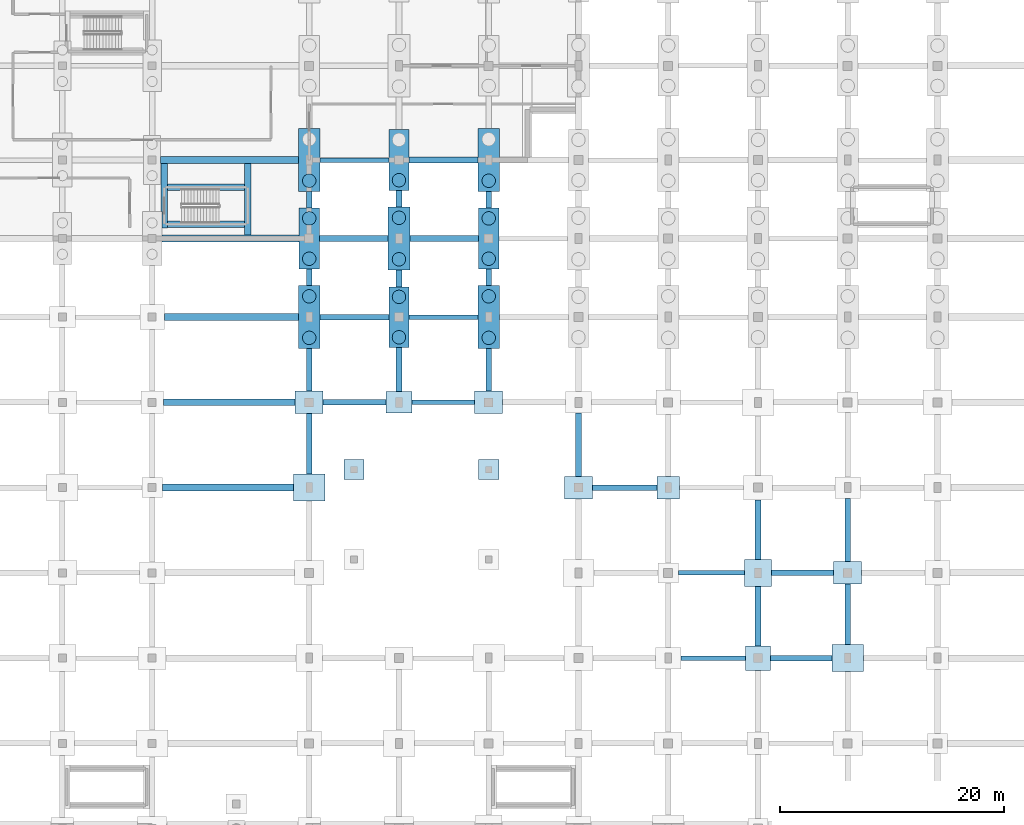
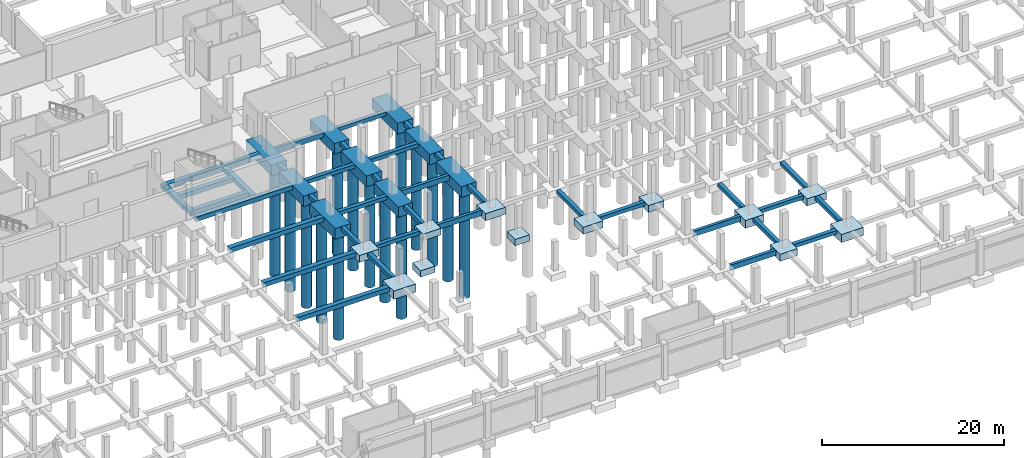
# One storey, part 7 of 50: 58 footings, 15 piles.
"""IFC4 building model written with IfcOpenShell, lengths in metres."""

from ifc_helpers import new_model, si_unit, direction, frame, origin, origin_2d, place, context, subcontext, project, spatial, polyline, rectangle, circle, outline, extrude, material, material_profile, profile_set, type_object, element, save


model = new_model("IFC4")

# Units and contexts
model_context = context("Model", 3, precision=1e-05, world=origin(), true_north=direction((0.0, 1.0)))
body_context = subcontext(model_context, "Body", "Model", "MODEL_VIEW")
ifc_project = project(units=[si_unit("LENGTHUNIT", "METRE"), si_unit("AREAUNIT", "SQUARE_METRE"), si_unit("VOLUMEUNIT", "CUBIC_METRE"), si_unit("PLANEANGLEUNIT", "RADIAN"), si_unit("MASSUNIT", "GRAM", prefix="KILO")], contexts=[model_context])

# Site, building, storey
site_placement = place(None, origin())
site = spatial("IfcSite", under=ifc_project, at=site_placement, CompositionType="ELEMENT")
building_placement = place(site_placement, origin())
building = spatial("IfcBuilding", under=site, at=building_placement, Name="Vekula Escarpment Museum", CompositionType="ELEMENT")
storey_placement = place(building_placement, frame((0.0, 0.0, -4.800048828125)))
storey = spatial("IfcBuildingStorey", under=building, at=storey_placement, Name="B1", CompositionType="ELEMENT", Elevation=-4.800048828125)

# Footings
ifc_material_1 = material(Name="Concrete C35/45", Category="concrete")
footing_type_1 = type_object("IfcFootingType", Name="FB-STRIP-600", PredefinedType="STRIP_FOOTING", material=ifc_material_1)
footing_1_placement = place(storey_placement, frame((0.0, 0.0, -0.599853515625)))
element("IfcFooting", 1, at=footing_1_placement, inside=storey, type_object=footing_type_1, Name="Stair Core Strip Footing ST-01 W", PredefinedType="STRIP_FOOTING", context=body_context, shape_type="SweptSolid", body=[
    extrude(outline(polyline([(57.375, 53.554931640625), (56.87890625, 53.554931640625), (56.87890625, 55.00390625), (56.77490234375, 55.00390625), (56.77490234375, 59.2958984375), (57.375, 59.2958984375), (57.375, 53.554931640625)])), origin(), (0.0, 0.0, 1.0), 0.599853515625),
])
footing_2_placement = place(storey_placement, frame((0.0, 0.0, -0.599853515625)))
element("IfcFooting", 2, at=footing_2_placement, inside=storey, type_object=footing_type_1, Name="Stair Core Strip Footing ST-01 E", PredefinedType="STRIP_FOOTING", context=body_context, shape_type="SweptSolid", body=[
    extrude(outline(polyline([(64.824951171875, 52.904052734375), (64.22509765625, 52.904052734375), (64.22509765625, 59.2958984375), (64.824951171875, 59.2958984375), (64.824951171875, 52.904052734375)])), origin(), (0.0, 0.0, 1.0), 0.599853515625),
])
footing_3_placement = place(storey_placement, frame((0.0, 0.0, -0.599853515625)))
element("IfcFooting", 3, at=footing_3_placement, inside=storey, type_object=footing_type_1, Name="Stair Core Strip Footing ST-01 S", PredefinedType="STRIP_FOOTING", context=body_context, shape_type="SweptSolid", body=[
    extrude(outline(polyline([(57.37890625, 53.574951171875), (57.37890625, 54.175048828125), (64.220947265625, 54.175048828125), (64.220947265625, 53.574951171875), (57.37890625, 53.574951171875)])), origin(), (0.0, 0.0, 1.0), 0.599853515625),
])
footing_4_placement = place(storey_placement, frame((0.0, 0.0, -0.599853515625)))
element("IfcFooting", 4, at=footing_4_placement, inside=storey, type_object=footing_type_1, Name="Stair Core Strip Footing ST-01 N", PredefinedType="STRIP_FOOTING", context=body_context, shape_type="SweptSolid", body=[
    extrude(outline(polyline([(57.37890625, 56.864990234375), (57.37890625, 57.465087890625), (64.220947265625, 57.465087890625), (64.220947265625, 56.864990234375), (57.37890625, 56.864990234375)])), origin(), (0.0, 0.0, 1.0), 0.599853515625),
])
ifc_material_2 = material(Name="Concrete C35/45", Category="concrete")
ifc_material_profile_1 = material_profile(ifc_material_2, rectangle(XDim=0.39990234375, YDim=0.699951171875, at=origin_2d()), Name="RC 400x700")
ifc_profile_set_1 = profile_set([ifc_material_profile_1], Name="Concrete C35/45")
footing_type_2 = type_object("IfcFootingType", Name="FB-TIE-400x700", PredefinedType="FOOTING_BEAM", material=ifc_profile_set_1)
footing_5_placement = place(storey_placement, frame((103.14990234375, 15.199951171875, -0.349853515625), z_axis=(1.0, 0.0, 0.0), x_axis=(0.0, 1.0, 0.0)))
element("IfcFooting", 5, at=footing_5_placement, inside=storey, type_object=footing_type_2, Name="Foundation Tie Beam 054", PredefinedType="FOOTING_BEAM", context=body_context, shape_type="SweptSolid", body=[
    extrude(rectangle(XDim=0.39990234375, YDim=0.699951171875, at=origin_2d()), origin(), (0.0, 0.0, 1.0), 5.75),
])
footing_6_placement = place(storey_placement, frame((102.89990234375, 22.800048828125, -0.349853515625), z_axis=(1.0, 0.0, 0.0), x_axis=(0.0, 1.0, 0.0)))
element("IfcFooting", 6, at=footing_6_placement, inside=storey, type_object=footing_type_2, Name="Foundation Tie Beam 072", PredefinedType="FOOTING_BEAM", context=body_context, shape_type="SweptSolid", body=[
    extrude(rectangle(XDim=0.39990234375, YDim=0.699951171875, at=origin_2d()), origin(), (0.0, 0.0, 1.0), 5.900146484375),
])
footing_7_placement = place(storey_placement, frame((79.14990234375, 38.0, -0.349853515625), z_axis=(1.0, 0.0, 0.0), x_axis=(0.0, 1.0, 0.0)))
element("IfcFooting", 7, at=footing_7_placement, inside=storey, type_object=footing_type_2, Name="Foundation Tie Beam 108", PredefinedType="FOOTING_BEAM", context=body_context, shape_type="SweptSolid", body=[
    extrude(rectangle(XDim=0.39990234375, YDim=0.699951171875, at=origin_2d()), origin(), (0.0, 0.0, 1.0), 5.60009765625),
])
for number, where, z_axis, x_axis, name in (
    (8, (78.89990234375, 45.60009765625, -0.349853515625), (1.0, 0.0, 0.0), (0.0, 1.0, 0.0), "Foundation Tie Beam 129"),
    (9, (70.97509765625, 59.60009765625, -0.349853515625), (1.0, 0.0, 0.0), (0.0, 1.0, 0.0), "Foundation Tie Beam 174"),
):
    element("IfcFooting", number, at=place(storey_placement, frame(where, z_axis=z_axis, x_axis=x_axis)), inside=storey, type_object=footing_type_2, Name=name, PredefinedType="FOOTING_BEAM", context=body_context, shape_type="SweptSolid", body=[
        extrude(rectangle(XDim=0.39990234375, YDim=0.699951171875, at=origin_2d()), origin(), (0.0, 0.0, 1.0), 6.125),
    ])
ifc_material_3 = material(Name="Concrete C35/45", Category="concrete")
ifc_material_profile_2 = material_profile(ifc_material_3, rectangle(XDim=0.5, YDim=0.5, at=origin_2d()), Name="RC 500x500")
ifc_profile_set_2 = profile_set([ifc_material_profile_2], Name="Concrete C35/45")
footing_type_3 = type_object("IfcFootingType", Name="FB-TIE-500x500", PredefinedType="FOOTING_BEAM", material=ifc_profile_set_2)
footing_8_placement = place(storey_placement, frame((111.10009765625, 15.199951171875, -0.25), z_axis=(1.0, 0.0, 0.0), x_axis=(0.0, 1.0, 0.0)))
element("IfcFooting", 10, at=footing_8_placement, inside=storey, type_object=footing_type_3, Name="Foundation Tie Beam 055", PredefinedType="FOOTING_BEAM", context=body_context, shape_type="SweptSolid", body=[
    extrude(rectangle(XDim=0.5, YDim=0.5, at=origin_2d()), origin(), (0.0, 0.0, 1.0), 5.5),
])
footing_9_placement = place(storey_placement, frame((111.199951171875, 22.800048828125, -0.25), z_axis=(1.0, 0.0, 0.0), x_axis=(0.0, 1.0, 0.0)))
element("IfcFooting", 11, at=footing_9_placement, inside=storey, type_object=footing_type_3, Name="Foundation Tie Beam 073", PredefinedType="FOOTING_BEAM", context=body_context, shape_type="SweptSolid", body=[
    extrude(rectangle(XDim=0.5, YDim=0.5, at=origin_2d()), origin(), (0.0, 0.0, 1.0), 5.550048828125),
])
footing_10_placement = place(storey_placement, frame((95.25, 30.39990234375, -0.25), z_axis=(1.0, 0.0, 0.0), x_axis=(0.0, 1.0, 0.0)))
element("IfcFooting", 12, at=footing_10_placement, inside=storey, type_object=footing_type_3, Name="Foundation Tie Beam 089", PredefinedType="FOOTING_BEAM", context=body_context, shape_type="SweptSolid", body=[
    extrude(rectangle(XDim=0.5, YDim=0.5, at=origin_2d()), origin(), (0.0, 0.0, 1.0), 5.75),
])
footing_11_placement = place(storey_placement, frame((71.25, 38.0, -0.25), z_axis=(1.0, 0.0, 0.0), x_axis=(0.0, 1.0, 0.0)))
element("IfcFooting", 13, at=footing_11_placement, inside=storey, type_object=footing_type_3, Name="Foundation Tie Beam 107", PredefinedType="FOOTING_BEAM", context=body_context, shape_type="SweptSolid", body=[
    extrude(rectangle(XDim=0.5, YDim=0.5, at=origin_2d()), origin(), (0.0, 0.0, 1.0), 5.60009765625),
])
for number, where, z_axis, x_axis, name in (
    (14, (70.97509765625, 45.60009765625, -0.25), (1.0, 0.0, 0.0), (0.0, 1.0, 0.0), "Foundation Tie Beam 128"),
    (15, (70.89990234375, 52.60009765625, -0.25), (1.0, 0.0, 0.0), (0.0, 1.0, 0.0), "Foundation Tie Beam 151"),
    (16, (78.97509765625, 52.60009765625, -0.25), (1.0, 0.0, 0.0), (0.0, 1.0, 0.0), "Foundation Tie Beam 152"),
    (17, (78.89990234375, 59.60009765625, -0.25), (1.0, 0.0, 0.0), (0.0, 1.0, 0.0), "Foundation Tie Beam 175"),
):
    element("IfcFooting", number, at=place(storey_placement, frame(where, z_axis=z_axis, x_axis=x_axis)), inside=storey, type_object=footing_type_3, Name=name, PredefinedType="FOOTING_BEAM", context=body_context, shape_type="SweptSolid", body=[
        extrude(rectangle(XDim=0.5, YDim=0.5, at=origin_2d()), origin(), (0.0, 0.0, 1.0), 6.125),
    ])
footing_12_placement = place(storey_placement, frame((70.0, 31.60009765625, -0.25), z_axis=(0.0, 1.0, 0.0), x_axis=(-1.0, 0.0, 0.0)))
element("IfcFooting", 18, at=footing_12_placement, inside=storey, type_object=footing_type_3, Name="Foundation Tie Beam 554", PredefinedType="FOOTING_BEAM", context=body_context, shape_type="SweptSolid", body=[
    extrude(rectangle(XDim=0.5, YDim=0.5, at=origin_2d()), origin(), (0.0, 0.0, 1.0), 5.39990234375),
])
footing_13_placement = place(storey_placement, frame((70.0, 39.0, -0.25), z_axis=(0.0, 1.0, 0.0), x_axis=(-1.0, 0.0, 0.0)))
element("IfcFooting", 19, at=footing_13_placement, inside=storey, type_object=footing_type_3, Name="Foundation Tie Beam 555", PredefinedType="FOOTING_BEAM", context=body_context, shape_type="SweptSolid", body=[
    extrude(rectangle(XDim=0.5, YDim=0.5, at=origin_2d()), origin(), (0.0, 0.0, 1.0), 3.800048828125),
])
for number, where, z_axis, x_axis, name in (
    (20, (70.0, 48.39990234375, -0.25), (0.0, 1.0, 0.0), (-1.0, 0.0, 0.0), "Foundation Tie Beam 556"),
    (21, (70.0, 55.300048828125, -0.25), (0.0, 1.0, 0.0), (-1.0, 0.0, 0.0), "Foundation Tie Beam 557"),
):
    element("IfcFooting", number, at=place(storey_placement, frame(where, z_axis=z_axis, x_axis=x_axis)), inside=storey, type_object=footing_type_3, Name=name, PredefinedType="FOOTING_BEAM", context=body_context, shape_type="SweptSolid", body=[
        extrude(rectangle(XDim=0.5, YDim=0.5, at=origin_2d()), origin(), (0.0, 0.0, 1.0), 1.5),
    ])
footing_14_placement = place(storey_placement, frame((78.0, 38.949951171875, -0.25), z_axis=(0.0, 1.0, 0.0), x_axis=(-1.0, 0.0, 0.0)))
element("IfcFooting", 22, at=footing_14_placement, inside=storey, type_object=footing_type_3, Name="Foundation Tie Beam 570", PredefinedType="FOOTING_BEAM", context=body_context, shape_type="SweptSolid", body=[
    extrude(rectangle(XDim=0.5, YDim=0.5, at=origin_2d()), origin(), (0.0, 0.0, 1.0), 3.949951171875),
])
for number, where, z_axis, x_axis, name in (
    (23, (78.0, 48.300048828125, -0.25), (0.0, 1.0, 0.0), (-1.0, 0.0, 0.0), "Foundation Tie Beam 571"),
    (24, (78.0, 55.39990234375, -0.25), (0.0, 1.0, 0.0), (-1.0, 0.0, 0.0), "Foundation Tie Beam 572"),
):
    element("IfcFooting", number, at=place(storey_placement, frame(where, z_axis=z_axis, x_axis=x_axis)), inside=storey, type_object=footing_type_3, Name=name, PredefinedType="FOOTING_BEAM", context=body_context, shape_type="SweptSolid", body=[
        extrude(rectangle(XDim=0.5, YDim=0.5, at=origin_2d()), origin(), (0.0, 0.0, 1.0), 1.5),
    ])
footing_15_placement = place(storey_placement, frame((86.0, 39.0, -0.25), z_axis=(0.0, 1.0, 0.0), x_axis=(-1.0, 0.0, 0.0)))
element("IfcFooting", 25, at=footing_15_placement, inside=storey, type_object=footing_type_3, Name="Foundation Tie Beam 582", PredefinedType="FOOTING_BEAM", context=body_context, shape_type="SweptSolid", body=[
    extrude(rectangle(XDim=0.5, YDim=0.5, at=origin_2d()), origin(), (0.0, 0.0, 1.0), 3.800048828125),
])
for number, where, z_axis, x_axis, name in (
    (26, (86.0, 48.39990234375, -0.25), (0.0, 1.0, 0.0), (-1.0, 0.0, 0.0), "Foundation Tie Beam 583"),
    (27, (86.0, 55.300048828125, -0.25), (0.0, 1.0, 0.0), (-1.0, 0.0, 0.0), "Foundation Tie Beam 584"),
):
    element("IfcFooting", number, at=place(storey_placement, frame(where, z_axis=z_axis, x_axis=x_axis)), inside=storey, type_object=footing_type_3, Name=name, PredefinedType="FOOTING_BEAM", context=body_context, shape_type="SweptSolid", body=[
        extrude(rectangle(XDim=0.5, YDim=0.5, at=origin_2d()), origin(), (0.0, 0.0, 1.0), 1.5),
    ])
footing_16_placement = place(storey_placement, frame((94.0, 31.39990234375, -0.25), z_axis=(0.0, 1.0, 0.0), x_axis=(-1.0, 0.0, 0.0)))
element("IfcFooting", 28, at=footing_16_placement, inside=storey, type_object=footing_type_3, Name="Foundation Tie Beam 596", PredefinedType="FOOTING_BEAM", context=body_context, shape_type="SweptSolid", body=[
    extrude(rectangle(XDim=0.5, YDim=0.5, at=origin_2d()), origin(), (0.0, 0.0, 1.0), 5.650146484375),
])
for number, where, z_axis, x_axis, name in (
    (29, (110.0, 16.300048828125, -0.25), (0.0, 1.0, 0.0), (-1.0, 0.0, 0.0), "Foundation Tie Beam 630"),
    (30, (110.0, 24.0, -0.25), (0.0, 1.0, 0.0), (-1.0, 0.0, 0.0), "Foundation Tie Beam 631"),
):
    element("IfcFooting", number, at=place(storey_placement, frame(where, z_axis=z_axis, x_axis=x_axis)), inside=storey, type_object=footing_type_3, Name=name, PredefinedType="FOOTING_BEAM", context=body_context, shape_type="SweptSolid", body=[
        extrude(rectangle(XDim=0.5, YDim=0.5, at=origin_2d()), origin(), (0.0, 0.0, 1.0), 5.300048828125),
    ])
footing_17_placement = place(storey_placement, frame((118.0, 16.39990234375, -0.25), z_axis=(0.0, 1.0, 0.0), x_axis=(-1.0, 0.0, 0.0)))
element("IfcFooting", 31, at=footing_17_placement, inside=storey, type_object=footing_type_3, Name="Foundation Tie Beam 648", PredefinedType="FOOTING_BEAM", context=body_context, shape_type="SweptSolid", body=[
    extrude(rectangle(XDim=0.5, YDim=0.5, at=origin_2d()), origin(), (0.0, 0.0, 1.0), 5.400146484375),
])
footing_18_placement = place(storey_placement, frame((118.0, 23.800048828125, -0.25), z_axis=(0.0, 1.0, 0.0), x_axis=(-1.0, 0.0, 0.0)))
element("IfcFooting", 32, at=footing_18_placement, inside=storey, type_object=footing_type_3, Name="Foundation Tie Beam 649", PredefinedType="FOOTING_BEAM", context=body_context, shape_type="SweptSolid", body=[
    extrude(rectangle(XDim=0.5, YDim=0.5, at=origin_2d()), origin(), (0.0, 0.0, 1.0), 5.64990234375),
])
ifc_material_4 = material(Name="Concrete C35/45", Category="concrete")
ifc_material_profile_3 = material_profile(ifc_material_4, rectangle(XDim=0.60009765625, YDim=0.60009765625, at=origin_2d()), Name="RC 600x600")
ifc_profile_set_3 = profile_set([ifc_material_profile_3], Name="Concrete C35/45")
footing_type_4 = type_object("IfcFootingType", Name="FB-TIE-600x600", PredefinedType="FOOTING_BEAM", material=ifc_profile_set_3)
footing_19_placement = place(storey_placement, frame((56.89990234375, 30.39990234375, -0.300048828125), z_axis=(1.0, 0.0, 0.0), x_axis=(0.0, 1.0, 0.0)))
element("IfcFooting", 33, at=footing_19_placement, inside=storey, type_object=footing_type_4, Name="Foundation Tie Beam 088", PredefinedType="FOOTING_BEAM", context=body_context, shape_type="SweptSolid", body=[
    extrude(rectangle(XDim=0.60009765625, YDim=0.60009765625, at=origin_2d()), origin(), (0.0, 0.0, 1.0), 11.7001953125),
])
footing_20_placement = place(storey_placement, frame((57.0, 38.0, -0.300048828125), z_axis=(1.0, 0.0, 0.0), x_axis=(0.0, 1.0, 0.0)))
element("IfcFooting", 34, at=footing_20_placement, inside=storey, type_object=footing_type_4, Name="Foundation Tie Beam 106", PredefinedType="FOOTING_BEAM", context=body_context, shape_type="SweptSolid", body=[
    extrude(rectangle(XDim=0.60009765625, YDim=0.60009765625, at=origin_2d()), origin(), (0.0, 0.0, 1.0), 11.75),
])
footing_21_placement = place(storey_placement, frame((57.10009765625, 45.60009765625, -0.300048828125), z_axis=(1.0, 0.0, 0.0), x_axis=(0.0, 1.0, 0.0)))
element("IfcFooting", 35, at=footing_21_placement, inside=storey, type_object=footing_type_4, Name="Foundation Tie Beam 127", PredefinedType="FOOTING_BEAM", context=body_context, shape_type="SweptSolid", body=[
    extrude(rectangle(XDim=0.60009765625, YDim=0.60009765625, at=origin_2d()), origin(), (0.0, 0.0, 1.0), 11.9248046875),
])
footing_22_placement = place(storey_placement, frame((56.875, 52.60009765625, -0.300048828125), z_axis=(1.0, 0.0, 0.0), x_axis=(0.0, 1.0, 0.0)))
element("IfcFooting", 36, at=footing_22_placement, inside=storey, type_object=footing_type_4, Name="Foundation Tie Beam 150", PredefinedType="FOOTING_BEAM", context=body_context, shape_type="SweptSolid", body=[
    extrude(rectangle(XDim=0.60009765625, YDim=0.60009765625, at=origin_2d()), origin(), (0.0, 0.0, 1.0), 12.22509765625),
])
footing_23_placement = place(storey_placement, frame((56.75, 59.60009765625, -0.300048828125), z_axis=(1.0, 0.0, 0.0), x_axis=(0.0, 1.0, 0.0)))
element("IfcFooting", 37, at=footing_23_placement, inside=storey, type_object=footing_type_4, Name="Foundation Tie Beam 173", PredefinedType="FOOTING_BEAM", context=body_context, shape_type="SweptSolid", body=[
    extrude(rectangle(XDim=0.60009765625, YDim=0.60009765625, at=origin_2d()), origin(), (0.0, 0.0, 1.0), 12.27490234375),
])
ifc_material_5 = material(Name="Concrete C35/45", Category="concrete")
footing_type_5 = type_object("IfcFootingType", Name="FC-PAD1", PredefinedType="PAD_FOOTING", material=ifc_material_5)
footing_24_placement = place(storey_placement, frame((0.0, 0.0, -0.849853515625)))
element("IfcFooting", 38, at=footing_24_placement, inside=storey, type_object=footing_type_5, Name="Basin Foundation Pad S3", PredefinedType="PAD_FOOTING", context=body_context, shape_type="SweptSolid", body=[
    extrude(outline(polyline([(85.10009765625, 31.10009765625), (86.89990234375, 31.10009765625), (86.89990234375, 32.89990234375), (85.10009765625, 32.89990234375), (85.10009765625, 31.10009765625)])), origin(), (0.0, 0.0, 1.0), 0.849853515625),
])
footing_25_placement = place(storey_placement, frame((0.0, 0.0, -0.849853515625)))
element("IfcFooting", 39, at=footing_25_placement, inside=storey, type_object=footing_type_5, Name="Basin Foundation Pad S4", PredefinedType="PAD_FOOTING", context=body_context, shape_type="SweptSolid", body=[
    extrude(outline(polyline([(73.10009765625, 31.10009765625), (74.89990234375, 31.10009765625), (74.89990234375, 32.89990234375), (73.10009765625, 32.89990234375), (73.10009765625, 31.10009765625)])), origin(), (0.0, 0.0, 1.0), 0.849853515625),
])
ifc_material_6 = material(Name="Concrete C35/45", Category="concrete")
footing_type_6 = type_object("IfcFootingType", Name="FC-PAD2", PredefinedType="PAD_FOOTING", material=ifc_material_6)
footing_26_placement = place(storey_placement, frame((0.0, 0.0, -0.89990234375)))
element("IfcFooting", 40, at=footing_26_placement, inside=storey, type_object=footing_type_6, Name="Foundation FC-PAD2 (102.0,30.4)", PredefinedType="PAD_FOOTING", context=body_context, shape_type="SweptSolid", body=[
    extrude(outline(polyline([(101.0, 29.39990234375), (103.0, 29.39990234375), (103.0, 31.39990234375), (101.0, 31.39990234375), (101.0, 29.39990234375)])), origin(), (0.0, 0.0, 1.0), 0.89990234375),
])
ifc_material_7 = material(Name="Concrete C35/45", Category="concrete")
footing_type_7 = type_object("IfcFootingType", Name="FC-PAD3", PredefinedType="PAD_FOOTING", material=ifc_material_7)
footing_27_placement = place(storey_placement, frame((0.0, 0.0, -0.949951171875)))
element("IfcFooting", 41, at=footing_27_placement, inside=storey, type_object=footing_type_7, Name="Foundation FC-PAD3 (110.0,15.2)", PredefinedType="PAD_FOOTING", context=body_context, shape_type="SweptSolid", body=[
    extrude(outline(polyline([(108.89990234375, 14.10009765625), (111.10009765625, 14.10009765625), (111.10009765625, 16.300048828125), (108.89990234375, 16.300048828125), (108.89990234375, 14.10009765625)])), origin(), (0.0, 0.0, 1.0), 0.949951171875),
])
ifc_material_8 = material(Name="Concrete C35/45", Category="concrete")
footing_type_8 = type_object("IfcFootingType", Name="FC-PAD4", PredefinedType="PAD_FOOTING", material=ifc_material_8)
footing_28_placement = place(storey_placement, frame((0.0, 0.0, -1.050048828125)))
element("IfcFooting", 42, at=footing_28_placement, inside=storey, type_object=footing_type_8, Name="Foundation FC-PAD4 (110.0,22.8)", PredefinedType="PAD_FOOTING", context=body_context, shape_type="SweptSolid", body=[
    extrude(outline(polyline([(108.800048828125, 21.60009765625), (111.199951171875, 21.60009765625), (111.199951171875, 24.0), (108.800048828125, 24.0), (108.800048828125, 21.60009765625)])), origin(), (0.0, 0.0, 1.0), 1.050048828125),
])
ifc_material_9 = material(Name="Concrete C35/45", Category="concrete")
footing_type_9 = type_object("IfcFootingType", Name="FC-PAD6", PredefinedType="PAD_FOOTING", material=ifc_material_9)
footing_29_placement = place(storey_placement, frame((0.0, 0.0, -1.099853515625)))
element("IfcFooting", 43, at=footing_29_placement, inside=storey, type_object=footing_type_9, Name="Foundation FC-PAD6 (70.0,30.4)", PredefinedType="PAD_FOOTING", context=body_context, shape_type="SweptSolid", body=[
    extrude(outline(polyline([(68.60009765625, 29.199951171875), (71.39990234375, 29.199951171875), (71.39990234375, 31.60009765625), (68.60009765625, 31.60009765625), (68.60009765625, 29.199951171875)])), origin(), (0.0, 0.0, 1.0), 1.099853515625),
])
footing_30_placement = place(storey_placement, frame((0.0, 0.0, -1.099853515625)))
element("IfcFooting", 44, at=footing_30_placement, inside=storey, type_object=footing_type_9, Name="Foundation FC-PAD6 (118.0,15.2)", PredefinedType="PAD_FOOTING", context=body_context, shape_type="SweptSolid", body=[
    extrude(outline(polyline([(116.60009765625, 14.0), (119.39990234375, 14.0), (119.39990234375, 16.39990234375), (116.60009765625, 16.39990234375), (116.60009765625, 14.0)])), origin(), (0.0, 0.0, 1.0), 1.099853515625),
])
ifc_material_10 = material(Name="Concrete C35/45", Category="concrete")
footing_type_10 = type_object("IfcFootingType", Name="FC-PAD7", PredefinedType="PAD_FOOTING", material=ifc_material_10)
footing_31_placement = place(storey_placement, frame((0.0, 0.0, -0.949951171875)))
element("IfcFooting", 45, at=footing_31_placement, inside=storey, type_object=footing_type_10, Name="Foundation FC-PAD7 (70.0,38.0)", PredefinedType="PAD_FOOTING", context=body_context, shape_type="SweptSolid", body=[
    extrude(outline(polyline([(68.75, 37.0), (71.25, 37.0), (71.25, 39.0), (68.75, 39.0), (68.75, 37.0)])), origin(), (0.0, 0.0, 1.0), 0.949951171875),
])
footing_32_placement = place(storey_placement, frame((0.0, 0.0, -0.949951171875)))
element("IfcFooting", 46, at=footing_32_placement, inside=storey, type_object=footing_type_10, Name="Foundation FC-PAD7 (86.0,38.0)", PredefinedType="PAD_FOOTING", context=body_context, shape_type="SweptSolid", body=[
    extrude(outline(polyline([(84.75, 37.0), (87.25, 37.0), (87.25, 39.0), (84.75, 39.0), (84.75, 37.0)])), origin(), (0.0, 0.0, 1.0), 0.949951171875),
])
footing_33_placement = place(storey_placement, frame((0.0, 0.0, -0.949951171875)))
element("IfcFooting", 47, at=footing_33_placement, inside=storey, type_object=footing_type_10, Name="Foundation FC-PAD7 (94.0,30.4)", PredefinedType="PAD_FOOTING", context=body_context, shape_type="SweptSolid", body=[
    extrude(outline(polyline([(92.75, 29.39990234375), (95.25, 29.39990234375), (95.25, 31.39990234375), (92.75, 31.39990234375), (92.75, 29.39990234375)])), origin(), (0.0, 0.0, 1.0), 0.949951171875),
])
footing_34_placement = place(storey_placement, frame((0.0, 0.0, -0.949951171875)))
element("IfcFooting", 48, at=footing_34_placement, inside=storey, type_object=footing_type_10, Name="Foundation FC-PAD7 (118.0,22.8)", PredefinedType="PAD_FOOTING", context=body_context, shape_type="SweptSolid", body=[
    extrude(outline(polyline([(116.75, 21.800048828125), (119.25, 21.800048828125), (119.25, 23.800048828125), (116.75, 23.800048828125), (116.75, 21.800048828125)])), origin(), (0.0, 0.0, 1.0), 0.949951171875),
])
ifc_material_11 = material(Name="Concrete C35/45", Category="concrete")
footing_type_11 = type_object("IfcFootingType", Name="FC-PAD8", PredefinedType="PAD_FOOTING", material=ifc_material_11)
footing_35_placement = place(storey_placement, frame((0.0, 0.0, -0.89990234375)))
element("IfcFooting", 49, at=footing_35_placement, inside=storey, type_object=footing_type_11, Name="Foundation FC-PAD8 (78.0,38.0)", PredefinedType="PAD_FOOTING", context=body_context, shape_type="SweptSolid", body=[
    extrude(outline(polyline([(76.85009765625, 37.050048828125), (79.14990234375, 37.050048828125), (79.14990234375, 38.949951171875), (76.85009765625, 38.949951171875), (76.85009765625, 37.050048828125)])), origin(), (0.0, 0.0, 1.0), 0.89990234375),
])
ifc_material_12 = material(Name="Concrete C35/45", Category="concrete")
footing_type_12 = type_object("IfcFootingType", Name="FC-PC2Y-HA", PredefinedType="PILE_CAP", material=ifc_material_12)
footing_36_placement = place(storey_placement, frame((0.0, 0.0, -1.39990234375)))
element("IfcFooting", 50, at=footing_36_placement, inside=storey, type_object=footing_type_12, Name="Foundation FC-PC2Y-HA (70.0,52.6)", PredefinedType="PILE_CAP", context=body_context, shape_type="SweptSolid", body=[
    extrude(outline(polyline([(69.10009765625, 49.89990234375), (70.89990234375, 49.89990234375), (70.89990234375, 55.300048828125), (69.10009765625, 55.300048828125), (69.10009765625, 49.89990234375)])), origin(), (0.0, 0.0, 1.0), 1.39990234375),
])
footing_37_placement = place(storey_placement, frame((0.0, 0.0, -1.39990234375)))
element("IfcFooting", 51, at=footing_37_placement, inside=storey, type_object=footing_type_12, Name="Foundation FC-PC2Y-HA (78.0,45.6)", PredefinedType="PILE_CAP", context=body_context, shape_type="SweptSolid", body=[
    extrude(outline(polyline([(77.10009765625, 42.89990234375), (78.89990234375, 42.89990234375), (78.89990234375, 48.300048828125), (77.10009765625, 48.300048828125), (77.10009765625, 42.89990234375)])), origin(), (0.0, 0.0, 1.0), 1.39990234375),
])
footing_38_placement = place(storey_placement, frame((0.0, 0.0, -1.39990234375)))
element("IfcFooting", 52, at=footing_38_placement, inside=storey, type_object=footing_type_12, Name="Foundation FC-PC2Y-HA (78.0,59.6)", PredefinedType="PILE_CAP", context=body_context, shape_type="SweptSolid", body=[
    extrude(outline(polyline([(77.10009765625, 56.89990234375), (78.89990234375, 56.89990234375), (78.89990234375, 62.300048828125), (77.10009765625, 62.300048828125), (77.10009765625, 56.89990234375)])), origin(), (0.0, 0.0, 1.0), 1.39990234375),
])
footing_39_placement = place(storey_placement, frame((0.0, 0.0, -1.39990234375)))
element("IfcFooting", 53, at=footing_39_placement, inside=storey, type_object=footing_type_12, Name="Foundation FC-PC2Y-HA (86.0,52.6)", PredefinedType="PILE_CAP", context=body_context, shape_type="SweptSolid", body=[
    extrude(outline(polyline([(85.10009765625, 49.89990234375), (86.89990234375, 49.89990234375), (86.89990234375, 55.300048828125), (85.10009765625, 55.300048828125), (85.10009765625, 49.89990234375)])), origin(), (0.0, 0.0, 1.0), 1.39990234375),
])
ifc_material_13 = material(Name="Concrete C35/45", Category="concrete")
footing_type_13 = type_object("IfcFootingType", Name="FC-PC2Y-HB", PredefinedType="PILE_CAP", material=ifc_material_13)
footing_40_placement = place(storey_placement, frame((0.0, 0.0, -1.449951171875)))
element("IfcFooting", 54, at=footing_40_placement, inside=storey, type_object=footing_type_13, Name="Foundation FC-PC2Y-HB (70.0,45.6)", PredefinedType="PILE_CAP", context=body_context, shape_type="SweptSolid", body=[
    extrude(outline(polyline([(69.02490234375, 42.800048828125), (70.97509765625, 42.800048828125), (70.97509765625, 48.39990234375), (69.02490234375, 48.39990234375), (69.02490234375, 42.800048828125)])), origin(), (0.0, 0.0, 1.0), 1.449951171875),
])
footing_41_placement = place(storey_placement, frame((0.0, 0.0, -1.449951171875)))
element("IfcFooting", 55, at=footing_41_placement, inside=storey, type_object=footing_type_13, Name="Foundation FC-PC2Y-HB (70.0,59.6)", PredefinedType="PILE_CAP", context=body_context, shape_type="SweptSolid", body=[
    extrude(outline(polyline([(69.02490234375, 56.800048828125), (70.97509765625, 56.800048828125), (70.97509765625, 62.39990234375), (69.02490234375, 62.39990234375), (69.02490234375, 56.800048828125)])), origin(), (0.0, 0.0, 1.0), 1.449951171875),
])
footing_42_placement = place(storey_placement, frame((0.0, 0.0, -1.449951171875)))
element("IfcFooting", 56, at=footing_42_placement, inside=storey, type_object=footing_type_13, Name="Foundation FC-PC2Y-HB (78.0,52.6)", PredefinedType="PILE_CAP", context=body_context, shape_type="SweptSolid", body=[
    extrude(outline(polyline([(77.02490234375, 49.800048828125), (78.97509765625, 49.800048828125), (78.97509765625, 55.39990234375), (77.02490234375, 55.39990234375), (77.02490234375, 49.800048828125)])), origin(), (0.0, 0.0, 1.0), 1.449951171875),
])
footing_43_placement = place(storey_placement, frame((0.0, 0.0, -1.449951171875)))
element("IfcFooting", 57, at=footing_43_placement, inside=storey, type_object=footing_type_13, Name="Foundation FC-PC2Y-HB (86.0,45.6)", PredefinedType="PILE_CAP", context=body_context, shape_type="SweptSolid", body=[
    extrude(outline(polyline([(85.02490234375, 42.800048828125), (86.97509765625, 42.800048828125), (86.97509765625, 48.39990234375), (85.02490234375, 48.39990234375), (85.02490234375, 42.800048828125)])), origin(), (0.0, 0.0, 1.0), 1.449951171875),
])
footing_44_placement = place(storey_placement, frame((0.0, 0.0, -1.449951171875)))
element("IfcFooting", 58, at=footing_44_placement, inside=storey, type_object=footing_type_13, Name="Foundation FC-PC2Y-HB (86.0,59.6)", PredefinedType="PILE_CAP", context=body_context, shape_type="SweptSolid", body=[
    extrude(outline(polyline([(85.02490234375, 56.800048828125), (86.97509765625, 56.800048828125), (86.97509765625, 62.39990234375), (85.02490234375, 62.39990234375), (85.02490234375, 56.800048828125)])), origin(), (0.0, 0.0, 1.0), 1.449951171875),
])

# Piles
ifc_material_14 = material(Name="Concrete C35/45", Category="concrete")
ifc_material_profile_4 = material_profile(ifc_material_14, circle(Radius=0.60009765625, at=origin_2d()), Name="BORED PILE 1200")
ifc_profile_set_4 = profile_set([ifc_material_profile_4], Name="Concrete C35/45")
pile_type = type_object("IfcPileType", Name="PILE-B1200", PredefinedType="BORED", material=ifc_profile_set_4)
for number, where, z_axis, x_axis, name in (
    (59, (70.0, 43.75, -1.349853515625), (0.0, 0.0, -1.0), (1.0, 0.0, 0.0), "Bored Pile (70.0,43.8)"),
    (60, (70.0, 47.449951171875, -1.349853515625), (0.0, 0.0, -1.0), (1.0, 0.0, 0.0), "Bored Pile (70.0,47.5)"),
):
    element("IfcPile", number, at=place(storey_placement, frame(where, z_axis=z_axis, x_axis=x_axis)), inside=storey, type_object=pile_type, Name=name, PredefinedType="BORED", context=body_context, shape_type="SweptSolid", body=[
        extrude(circle(Radius=0.60009765625, at=origin_2d()), origin(), (0.0, 0.0, 1.0), 14.14990234375),
    ])
for number, where, z_axis, x_axis, name in (
    (61, (70.0, 50.800048828125, -1.300048828125), (0.0, 0.0, -1.0), (1.0, 0.0, 0.0), "Bored Pile (70.0,50.8)"),
    (62, (70.0, 54.39990234375, -1.300048828125), (0.0, 0.0, -1.0), (1.0, 0.0, 0.0), "Bored Pile (70.0,54.4)"),
):
    element("IfcPile", number, at=place(storey_placement, frame(where, z_axis=z_axis, x_axis=x_axis)), inside=storey, type_object=pile_type, Name=name, PredefinedType="BORED", context=body_context, shape_type="SweptSolid", body=[
        extrude(circle(Radius=0.60009765625, at=origin_2d()), origin(), (0.0, 0.0, 1.0), 14.199951171875),
    ])
pile_1_placement = place(storey_placement, frame((70.0, 57.75, -1.349853515625), z_axis=(0.0, 0.0, -1.0), x_axis=(1.0, 0.0, 0.0)))
element("IfcPile", 63, at=pile_1_placement, inside=storey, type_object=pile_type, Name="Bored Pile (70.0,57.8)", PredefinedType="BORED", context=body_context, shape_type="SweptSolid", body=[
    extrude(circle(Radius=0.60009765625, at=origin_2d()), origin(), (0.0, 0.0, 1.0), 14.14990234375),
])
for number, where, z_axis, x_axis, name in (
    (64, (78.0, 43.800048828125, -1.300048828125), (0.0, 0.0, -1.0), (1.0, 0.0, 0.0), "Bored Pile (78.0,43.8)"),
    (65, (78.0, 47.39990234375, -1.300048828125), (0.0, 0.0, -1.0), (1.0, 0.0, 0.0), "Bored Pile (78.0,47.4)"),
):
    element("IfcPile", number, at=place(storey_placement, frame(where, z_axis=z_axis, x_axis=x_axis)), inside=storey, type_object=pile_type, Name=name, PredefinedType="BORED", context=body_context, shape_type="SweptSolid", body=[
        extrude(circle(Radius=0.60009765625, at=origin_2d()), origin(), (0.0, 0.0, 1.0), 14.199951171875),
    ])
for number, where, z_axis, x_axis, name in (
    (66, (78.0, 50.75, -1.349853515625), (0.0, 0.0, -1.0), (1.0, 0.0, 0.0), "Bored Pile (78.0,50.8)"),
    (67, (78.0, 54.449951171875, -1.349853515625), (0.0, 0.0, -1.0), (1.0, 0.0, 0.0), "Bored Pile (78.0,54.5)"),
):
    element("IfcPile", number, at=place(storey_placement, frame(where, z_axis=z_axis, x_axis=x_axis)), inside=storey, type_object=pile_type, Name=name, PredefinedType="BORED", context=body_context, shape_type="SweptSolid", body=[
        extrude(circle(Radius=0.60009765625, at=origin_2d()), origin(), (0.0, 0.0, 1.0), 14.14990234375),
    ])
pile_2_placement = place(storey_placement, frame((78.0, 57.800048828125, -1.300048828125), z_axis=(0.0, 0.0, -1.0), x_axis=(1.0, 0.0, 0.0)))
element("IfcPile", 68, at=pile_2_placement, inside=storey, type_object=pile_type, Name="Bored Pile (78.0,57.8)", PredefinedType="BORED", context=body_context, shape_type="SweptSolid", body=[
    extrude(circle(Radius=0.60009765625, at=origin_2d()), origin(), (0.0, 0.0, 1.0), 14.199951171875),
])
for number, where, z_axis, x_axis, name in (
    (69, (86.0, 43.75, -1.349853515625), (0.0, 0.0, -1.0), (1.0, 0.0, 0.0), "Bored Pile (86.0,43.8)"),
    (70, (86.0, 47.449951171875, -1.349853515625), (0.0, 0.0, -1.0), (1.0, 0.0, 0.0), "Bored Pile (86.0,47.5)"),
):
    element("IfcPile", number, at=place(storey_placement, frame(where, z_axis=z_axis, x_axis=x_axis)), inside=storey, type_object=pile_type, Name=name, PredefinedType="BORED", context=body_context, shape_type="SweptSolid", body=[
        extrude(circle(Radius=0.60009765625, at=origin_2d()), origin(), (0.0, 0.0, 1.0), 14.14990234375),
    ])
for number, where, z_axis, x_axis, name in (
    (71, (86.0, 50.800048828125, -1.300048828125), (0.0, 0.0, -1.0), (1.0, 0.0, 0.0), "Bored Pile (86.0,50.8)"),
    (72, (86.0, 54.39990234375, -1.300048828125), (0.0, 0.0, -1.0), (1.0, 0.0, 0.0), "Bored Pile (86.0,54.4)"),
):
    element("IfcPile", number, at=place(storey_placement, frame(where, z_axis=z_axis, x_axis=x_axis)), inside=storey, type_object=pile_type, Name=name, PredefinedType="BORED", context=body_context, shape_type="SweptSolid", body=[
        extrude(circle(Radius=0.60009765625, at=origin_2d()), origin(), (0.0, 0.0, 1.0), 14.199951171875),
    ])
pile_3_placement = place(storey_placement, frame((86.0, 57.75, -1.349853515625), z_axis=(0.0, 0.0, -1.0), x_axis=(1.0, 0.0, 0.0)))
element("IfcPile", 73, at=pile_3_placement, inside=storey, type_object=pile_type, Name="Bored Pile (86.0,57.8)", PredefinedType="BORED", context=body_context, shape_type="SweptSolid", body=[
    extrude(circle(Radius=0.60009765625, at=origin_2d()), origin(), (0.0, 0.0, 1.0), 14.14990234375),
])

save(model, "model.ifc")
